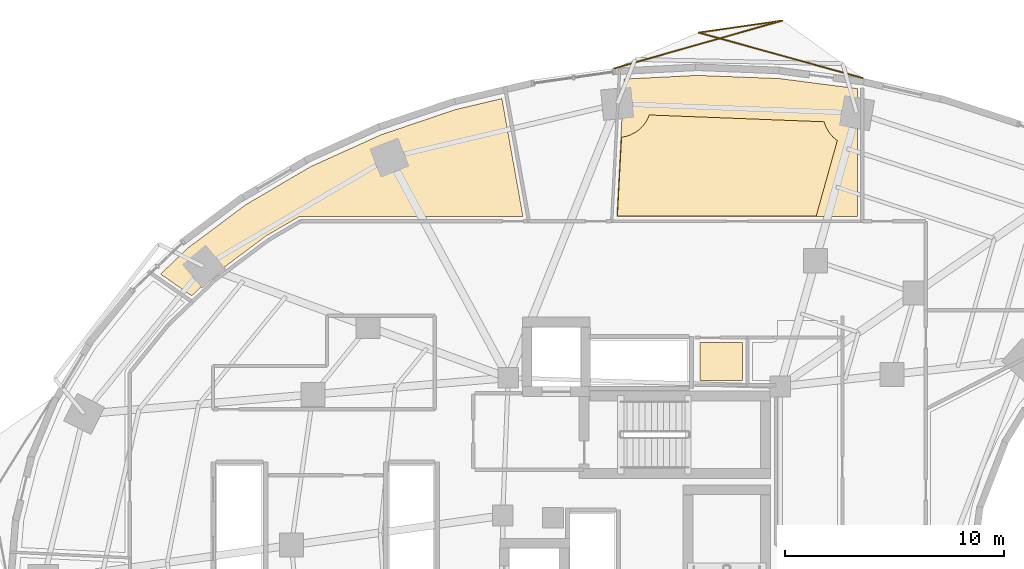
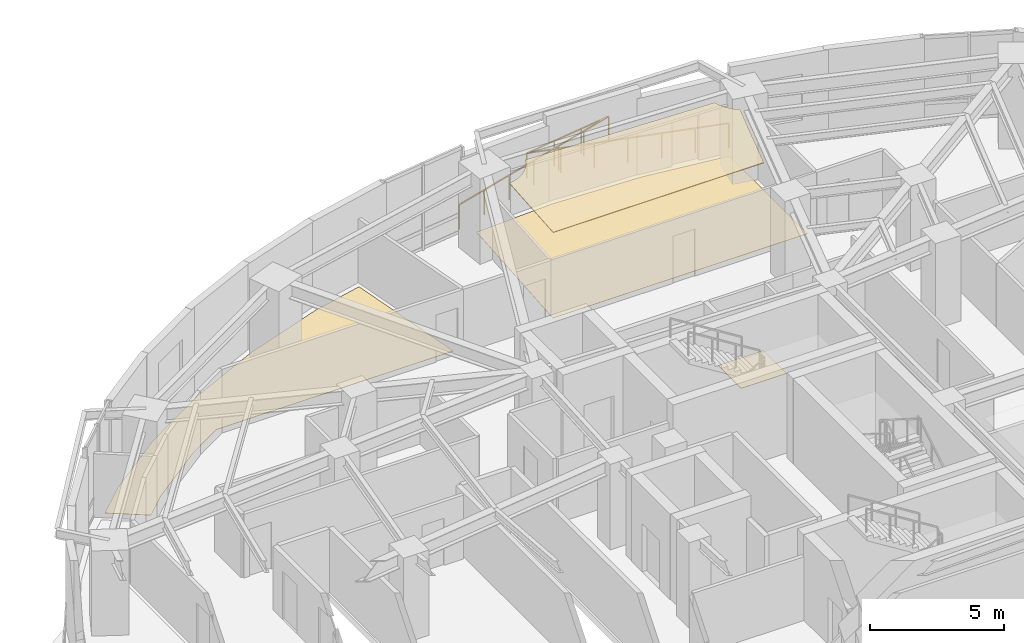
# One storey, part 17 of 17: 4 coverings, 1 railing.
"""IFC4 building model written with IfcOpenShell, lengths in metres."""

from ifc_helpers import new_model, si_unit, direction, frame, origin, origin_2d, place, context, subcontext, project, spatial, polyline, rectangle, outline, extrude, material, layer, layer_set, type_object, element, save


model = new_model("IFC4")

# Units and contexts
model_context = context("Model", 3, precision=1e-05, world=origin(), true_north=direction((0.0, 1.0)))
body_context = subcontext(model_context, "Body", "Model", "MODEL_VIEW")
ifc_project = project(units=[si_unit("LENGTHUNIT", "METRE"), si_unit("AREAUNIT", "SQUARE_METRE"), si_unit("VOLUMEUNIT", "CUBIC_METRE"), si_unit("PLANEANGLEUNIT", "RADIAN"), si_unit("MASSUNIT", "GRAM", prefix="KILO")], contexts=[model_context])

# Site, building, storey
site_placement = place(None, origin())
site = spatial("IfcSite", under=ifc_project, at=site_placement, CompositionType="ELEMENT")
building_placement = place(site_placement, origin())
building = spatial("IfcBuilding", under=site, at=building_placement, Name="Korentha Bioscience Tower", CompositionType="ELEMENT")
storey_placement = place(building_placement, frame((0.0, 0.0, 25.800048828125)))
storey = spatial("IfcBuildingStorey", under=building, at=storey_placement, Name="L05", CompositionType="ELEMENT", Elevation=25.800048828125)

# Covering
ifc_material_1 = material(Name="Vitrified Porcelain Tile", Category="ceramic")
ifc_layer_1 = layer(ifc_material_1, 0.014892578125, Name="Vitrified Porcelain Tile")
ifc_layer_set_1 = layer_set([ifc_layer_1], Name="Vitrified Porcelain Tile (FL-CER)")
covering_type_1 = type_object("IfcCoveringType", Name="Anti-Slip Ceramic Wet-Room Tile Flooring 15", PredefinedType="FLOORING", material=ifc_layer_set_1)
covering_1_placement = place(storey_placement, origin())
element("IfcCovering", 1, at=covering_1_placement, inside=storey, type_object=covering_type_1, Name="L05 Accessible Staff WC Floor Finish", PredefinedType="FLOORING", context=body_context, shape_type="SweptSolid", body=[
    extrude(outline(polyline([(33.8701171875, 36.1298828125), (33.8701171875, 37.8701171875), (35.830078125, 37.8701171875), (35.830078125, 36.1298828125), (33.8701171875, 36.1298828125)])), origin(), (0.0, 0.0, 1.0), 0.014892578125),
])

# Railing
ifc_material_2 = material(Name="Laminated Tempered Safety Glass", Category="glass")
railing_type = type_object("IfcRailingType", Name="Laminated Glass Balcony Guardrail 1150", PredefinedType="BALUSTRADE", material=ifc_material_2)
railing_placement = place(storey_placement, frame((41.33349609375, 49.9638671875, 0.0)))
element("IfcRailing", 2, at=railing_placement, inside=storey, type_object=railing_type, Name="L05 Balcony Guardrail 01", PredefinedType="BALUSTRADE", context=body_context, shape_type="SweptSolid", body=[
    extrude(rectangle(XDim=0.048095703125, YDim=0.048095703125, at=origin_2d()), frame((0.0, 0.0, 1.1259765625), z_axis=(-0.963705393493, 0.266968002864, 0.0), x_axis=(-0.266968002864, -0.963705393493, 0.0)), (0.0, 0.0, 1.0), 7.80712890625),
    extrude(rectangle(XDim=0.048095703125, YDim=0.048095703125, at=origin_2d()), frame((-7.523681640625, 2.084228515625, 1.1259765625), z_axis=(0.989867578194, 0.141993583099, 0.0), x_axis=(-0.141993583099, 0.989867578194, 0.0)), (0.0, 0.0, 1.0), 3.88232421875),
    extrude(rectangle(XDim=0.048095703125, YDim=0.048095703125, at=origin_2d()), frame((-3.6806640625, 2.635498046875, 1.1259765625), z_axis=(-0.961886221557, -0.27344998954, 0.0), x_axis=(0.27344998954, -0.961886221557, 0.0)), (0.0, 0.0, 1.0), 8.017578125),
    extrude(rectangle(XDim=0.0419921875, YDim=0.0419921875, at=origin_2d()), origin(), (0.0, 0.0, 1.0), 1.101806640625),
    extrude(rectangle(XDim=0.0419921875, YDim=0.0419921875, at=origin_2d()), frame((-1.25390625, 0.347412109375, 0.0)), (0.0, 0.0, 1.0), 1.101806640625),
    extrude(rectangle(XDim=0.0419921875, YDim=0.0419921875, at=origin_2d()), frame((-2.5078125, 0.69482421875, 0.0)), (0.0, 0.0, 1.0), 1.101806640625),
    extrude(rectangle(XDim=0.0419921875, YDim=0.0419921875, at=origin_2d()), frame((-3.76171875, 1.0419921875, 0.0)), (0.0, 0.0, 1.0), 1.101806640625),
    extrude(rectangle(XDim=0.0419921875, YDim=0.0419921875, at=origin_2d()), frame((-5.015869140625, 1.389404296875, 0.0)), (0.0, 0.0, 1.0), 1.101806640625),
    extrude(rectangle(XDim=0.0419921875, YDim=0.0419921875, at=origin_2d()), frame((-6.269775390625, 1.73681640625, 0.0)), (0.0, 0.0, 1.0), 1.101806640625),
    extrude(rectangle(XDim=0.0419921875, YDim=0.0419921875, at=origin_2d()), frame((-7.523681640625, 2.084228515625, 0.0)), (0.0, 0.0, 1.0), 1.101806640625),
    extrude(rectangle(XDim=0.0419921875, YDim=0.0419921875, at=origin_2d()), frame((-6.24267578125, 2.26806640625, 0.0)), (0.0, 0.0, 1.0), 1.101806640625),
    extrude(rectangle(XDim=0.0419921875, YDim=0.0419921875, at=origin_2d()), frame((-4.961669921875, 2.45166015625, 0.0)), (0.0, 0.0, 1.0), 1.101806640625),
    extrude(rectangle(XDim=0.0419921875, YDim=0.0419921875, at=origin_2d()), frame((-3.6806640625, 2.635498046875, 0.0)), (0.0, 0.0, 1.0), 1.101806640625),
    extrude(rectangle(XDim=0.0419921875, YDim=0.0419921875, at=origin_2d()), frame((-4.966064453125, 2.27001953125, 0.0)), (0.0, 0.0, 1.0), 1.101806640625),
    extrude(rectangle(XDim=0.0419921875, YDim=0.0419921875, at=origin_2d()), frame((-6.251220703125, 1.90478515625, 0.0)), (0.0, 0.0, 1.0), 1.101806640625),
    extrude(rectangle(XDim=0.0419921875, YDim=0.0419921875, at=origin_2d()), frame((-7.53662109375, 1.539306640625, 0.0)), (0.0, 0.0, 1.0), 1.101806640625),
    extrude(rectangle(XDim=0.0419921875, YDim=0.0419921875, at=origin_2d()), frame((-8.822021484375, 1.173828125, 0.0)), (0.0, 0.0, 1.0), 1.101806640625),
    extrude(rectangle(XDim=0.0419921875, YDim=0.0419921875, at=origin_2d()), frame((-10.107177734375, 0.80859375, 0.0)), (0.0, 0.0, 1.0), 1.101806640625),
    extrude(rectangle(XDim=0.0419921875, YDim=0.0419921875, at=origin_2d()), frame((-11.392578125, 0.443115234375, 0.0)), (0.0, 0.0, 1.0), 1.101806640625),
])

# Coverings
ifc_material_3 = material(Name="Antimicrobial Mineral Fibre Board", Category="gypsum")
ifc_layer_2 = layer(ifc_material_3, 0.034912109375, Name="Antimicrobial Mineral Fibre Board")
ifc_layer_set_2 = layer_set([ifc_layer_2], Name="Antimicrobial Mineral Fibre Board (CL-MF35)")
covering_type_2 = type_object("IfcCoveringType", Name="Mineral-Fibre Cleanroom Suspended Ceiling 35", PredefinedType="CEILING", material=ifc_layer_set_2)
covering_2_placement = place(storey_placement, frame((0.0, 0.0, 3.864990234375)))
element("IfcCovering", 3, at=covering_2_placement, inside=storey, type_object=covering_type_2, Name="L05 Visiting Faculty Study Office 12 Acoustic Ceiling", PredefinedType="CEILING", context=body_context, shape_type="SweptSolid", body=[
    extrude(outline(polyline([(30.28759765625, 47.256103515625), (30.544189453125, 47.309326171875), (30.6875, 47.360595703125), (30.955322265625, 47.50390625), (31.07763671875, 47.594482421875), (31.29248046875, 47.809326171875), (31.383056640625, 47.931396484375), (31.461181640625, 48.06201171875), (31.553955078125, 48.276611328125), (39.556884765625, 47.965576171875), (39.62060546875, 47.7734375), (39.763671875, 47.505615234375), (39.95654296875, 47.270751953125), (40.15869140625, 47.102294921875), (39.195556640625, 43.659912109375), (30.09912109375, 43.659912109375), (30.28759765625, 47.256103515625)])), origin(), (0.0, 0.0, 1.0), 0.034912109375),
])
ifc_material_4 = material(Name="Chemical-Resistant Epoxy Resin", Category="polymer")
ifc_layer_3 = layer(ifc_material_4, 0.011962890625, Name="Chemical-Resistant Epoxy Resin")
ifc_layer_set_3 = layer_set([ifc_layer_3], Name="Chemical-Resistant Epoxy Resin (FL-EPX)")
covering_type_3 = type_object("IfcCoveringType", Name="Seamless Epoxy Laboratory Flooring 12", PredefinedType="FLOORING", material=ifc_layer_set_3)
covering_3_placement = place(storey_placement, origin())
element("IfcCovering", 4, at=covering_3_placement, inside=storey, type_object=covering_type_3, Name="L05 Visiting Faculty Study Office 12 Floor Finish", PredefinedType="FLOORING", context=body_context, shape_type="SweptSolid", body=[
    extrude(outline(polyline([(33.756103515625, 50.0888671875), (37.5263671875, 49.942138671875), (41.072021484375, 49.4833984375), (41.072021484375, 43.6298828125), (30.0673828125, 43.6298828125), (30.397216796875, 49.91943359375), (33.756103515625, 50.0888671875)])), origin(), (0.0, 0.0, 1.0), 0.011962890625),
])
covering_4_placement = place(storey_placement, origin())
element("IfcCovering", 5, at=covering_4_placement, inside=storey, type_object=covering_type_3, Name="L05 Ethics and Biosafety Briefing Room 14 Floor Finish", PredefinedType="FLOORING", context=body_context, shape_type="SweptSolid", body=[
    extrude(outline(polyline([(10.451904296875, 42.1962890625), (13.09619140625, 44.173828125), (16.0458984375, 45.90478515625), (19.258544921875, 47.36279296875), (22.68701171875, 48.525390625), (24.8125, 49.027587890625), (25.775390625, 43.6298828125), (15.531005859375, 43.6220703125), (14.028076171875, 42.748046875), (11.55224609375, 40.89599609375), (10.619140625, 40.006591796875), (9.193359375, 40.995849609375), (10.451904296875, 42.1962890625)])), origin(), (0.0, 0.0, 1.0), 0.011962890625),
])

save(model, "model.ifc")
